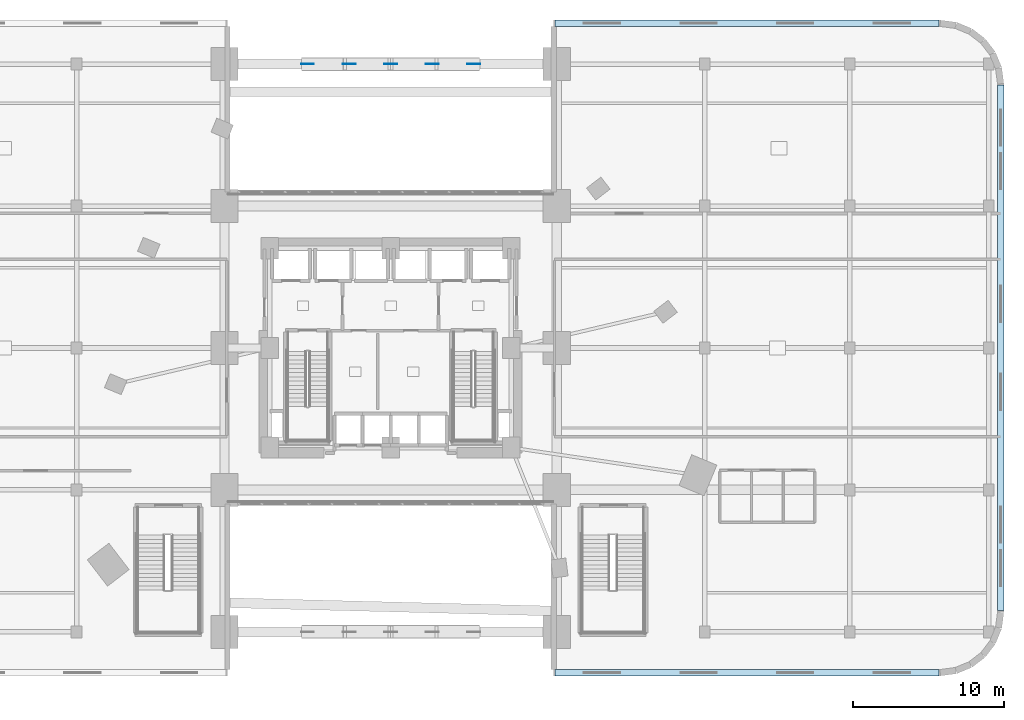
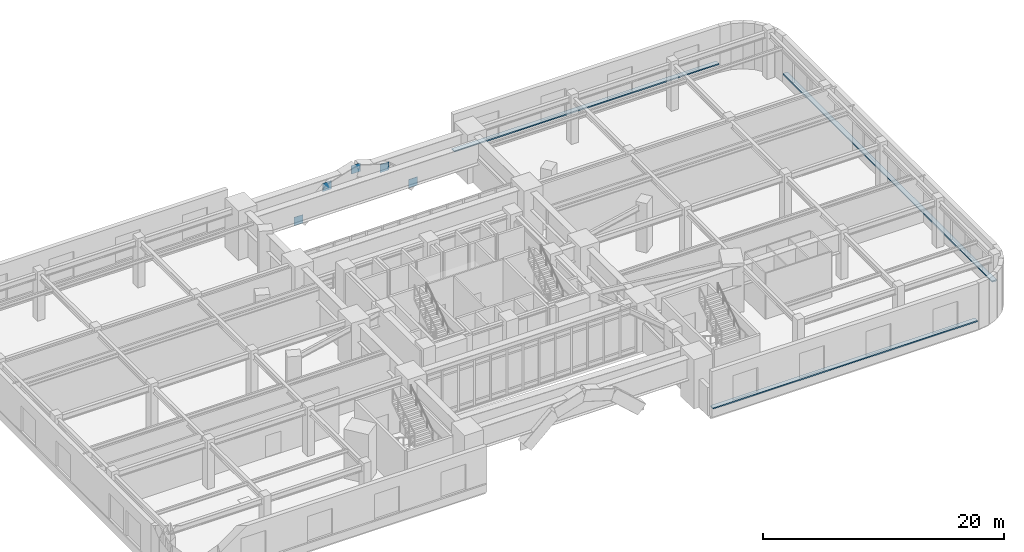
# One storey, part 18 of 25: 8 plates.
"""IFC4 building model written with IfcOpenShell, lengths in metres."""

from ifc_helpers import new_model, si_unit, direction, frame, origin, origin_2d, place, context, subcontext, project, spatial, rectangle, extrude, material, layer, layer_set, type_object, element, save


model = new_model("IFC4")

# Units and contexts
model_context = context("Model", 3, precision=1e-05, world=origin(), true_north=direction((0.0, 1.0)))
body_context = subcontext(model_context, "Body", "Model", "MODEL_VIEW")
ifc_project = project(units=[si_unit("LENGTHUNIT", "METRE"), si_unit("AREAUNIT", "SQUARE_METRE"), si_unit("VOLUMEUNIT", "CUBIC_METRE"), si_unit("PLANEANGLEUNIT", "RADIAN"), si_unit("MASSUNIT", "GRAM", prefix="KILO")], contexts=[model_context])

# Site, building, storey
site_placement = place(None, origin())
site = spatial("IfcSite", under=ifc_project, at=site_placement, CompositionType="ELEMENT")
building_placement = place(site_placement, origin())
building = spatial("IfcBuilding", under=site, at=building_placement, Name="Ndelora Gate Hotel", CompositionType="ELEMENT")
storey_placement = place(building_placement, frame((0.0, 0.0, 11.0)))
storey = spatial("IfcBuildingStorey", under=building, at=storey_placement, Name="L02", CompositionType="ELEMENT", Elevation=11.0)

# Plates
ifc_material_1 = material(Name="Steel S460", Category="steel")
ifc_layer_1 = layer(ifc_material_1, 0.035888671875)
ifc_layer_set_1 = layer_set([ifc_layer_1], Name="Steel S460")
plate_type_1 = type_object("IfcPlateType", Name="PL-NODE-AN2", PredefinedType="USERDEFINED", material=ifc_layer_set_1)
for number, where, z_axis, x_axis, name in (
    (1, (-5.5, 18.800048828125, 0.75), (0.0, 0.0, 1.0), (1.0, 0.0, 0.0), "Node gusset cap plate AN2"),
    (2, (-2.75, 18.800048828125, 3.24365234375), (0.0, 0.0, 1.0), (1.0, 0.0, 0.0), "Node gusset cap plate AN2"),
    (3, (0.0, 18.800048828125, 4.074951171875), (0.0, 0.0, 1.0), (1.0, 0.0, 0.0), "Node gusset cap plate AN2"),
    (4, (2.75, 18.800048828125, 3.24365234375), (0.0, 0.0, 1.0), (1.0, 0.0, 0.0), "Node gusset cap plate AN2"),
    (5, (5.5, 18.800048828125, 0.75), (0.0, 0.0, 1.0), (1.0, 0.0, 0.0), "Node gusset cap plate AN2"),
):
    element("IfcPlate", number, at=place(storey_placement, frame(where, z_axis=z_axis, x_axis=x_axis)), inside=storey, type_object=plate_type_1, Name=name, ObjectType="GUSSET_PLATE", PredefinedType="USERDEFINED", context=body_context, shape_type="SweptSolid", body=[
        extrude(rectangle(XDim=0.85009765625, YDim=0.035888671875, at=origin_2d()), origin(), (0.0, 0.0, 1.0), 0.85009765625),
    ])
ifc_material_2 = material(Name="Precast concrete C40/50", Category="concrete")
ifc_layer_2 = layer(ifc_material_2, 0.125)
ifc_layer_set_2 = layer_set([ifc_layer_2], Name="Precast concrete C40/50")
plate_type_2 = type_object("IfcPlateType", Name="PL-SILL-120", PredefinedType="USERDEFINED", material=ifc_layer_set_2)
plate_placement = place(storey_placement, frame((40.39990234375, 0.0, 0.8173828125), z_axis=(0.0, 0.0, 1.0), x_axis=(0.0, 1.0, 0.0)))
element("IfcPlate", 6, at=plate_placement, inside=storey, type_object=plate_type_2, Name="L02 Precast Concrete Ribbon Sill Band 7", ObjectType="RIBBON_SILL", PredefinedType="USERDEFINED", context=body_context, shape_type="SweptSolid", body=[
    extrude(rectangle(XDim=34.800048828125, YDim=0.43994140625, at=origin_2d()), origin(), (0.0, 0.0, 1.0), 0.125),
])
for number, where, z_axis, x_axis, name in (
    (7, (23.60009765625, 21.5, 0.8173828125), (0.0, 0.0, 1.0), (1.0, 0.0, 0.0), "L02 Precast Concrete Ribbon Sill Band 15"),
    (8, (23.60009765625, -21.5, 0.8173828125), (0.0, 0.0, 1.0), (1.0, 0.0, 0.0), "L02 Precast Concrete Ribbon Sill Band 30"),
):
    element("IfcPlate", number, at=place(storey_placement, frame(where, z_axis=z_axis, x_axis=x_axis)), inside=storey, type_object=plate_type_2, Name=name, ObjectType="RIBBON_SILL", PredefinedType="USERDEFINED", context=body_context, shape_type="SweptSolid", body=[
        extrude(rectangle(XDim=25.39990234375, YDim=0.43994140625, at=origin_2d()), origin(), (0.0, 0.0, 1.0), 0.125),
    ])

save(model, "model.ifc")
